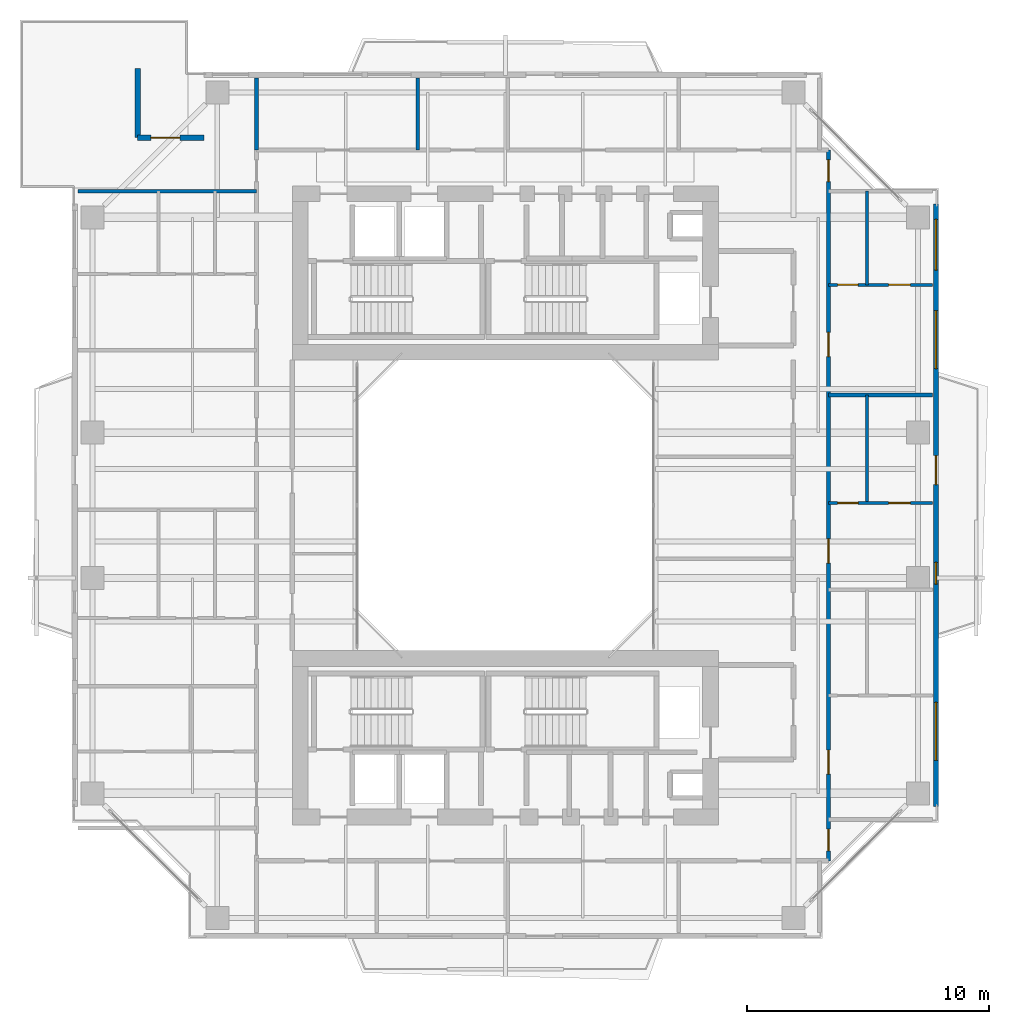
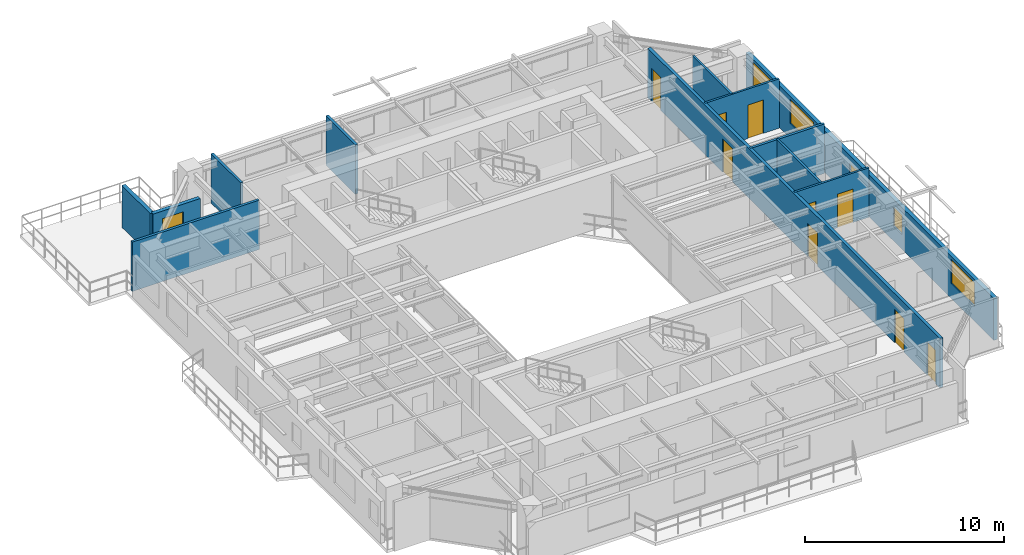
# One storey, part 13 of 18: 12 walls, 11 doors, 4 windows, 15 openings.
"""IFC4 building model written with IfcOpenShell, lengths in metres."""

from ifc_helpers import new_model, si_unit, direction, frame, frame_2d, origin, place, context, subcontext, project, spatial, rectangle, extrude, source, transform, mapped, material, layer, layer_set, type_object, element, fill, save


model = new_model("IFC4")

# Units and contexts
model_context = context("Model", 3, precision=1e-05, world=origin(), true_north=direction((0.0, 1.0)))
body_context = subcontext(model_context, "Body", "Model", "MODEL_VIEW")
ifc_project = project(units=[si_unit("LENGTHUNIT", "METRE"), si_unit("AREAUNIT", "SQUARE_METRE"), si_unit("VOLUMEUNIT", "CUBIC_METRE"), si_unit("PLANEANGLEUNIT", "RADIAN"), si_unit("MASSUNIT", "GRAM", prefix="KILO"), si_unit("THERMODYNAMICTEMPERATUREUNIT", "KELVIN"), si_unit("POWERUNIT", "WATT")], contexts=[model_context])

# Site, building, storey
site_placement = place(None, origin())
site = spatial("IfcSite", under=ifc_project, at=site_placement, CompositionType="ELEMENT")
building_placement = place(site_placement, origin())
building = spatial("IfcBuilding", under=site, at=building_placement, Name="Qiaomeng Ring Towers", CompositionType="ELEMENT")
storey_placement = place(building_placement, frame((0.0, 0.0, 182.75)))
storey = spatial("IfcBuildingStorey", under=building, at=storey_placement, Name="L53", CompositionType="ELEMENT", Elevation=182.75)

# Wall, openings, windows, door
ifc_material_1 = material(Name="Precast concrete C40", Category="concrete")
ifc_layer_1 = layer(ifc_material_1, 0.219970703125, Name="Precast concrete C40")
ifc_layer_set_1 = layer_set([ifc_layer_1], Name="Precast concrete C40")
wall_type_1 = type_object("IfcWallType", Name="ARC-WL-EW2", PredefinedType="STANDARD", material=ifc_layer_set_1)
wall_1_placement = place(storey_placement, frame((36.7900390625, 10.550048828125, 0.0), z_axis=(0.0, 0.0, 1.0), x_axis=(0.0, 1.0, 0.0)))
wall_1 = element("IfcWall", 1, at=wall_1_placement, inside=storey, type_object=wall_type_1, Name="L53 Tower 1 E Exterior Wall", PredefinedType="STANDARD", context=body_context, shape_type="SweptSolid", body=[
    extrude(rectangle(XDim=24.89990234375, YDim=0.219970703125, at=frame_2d((12.449951171875, 0.0))), origin(), (0.0, 0.0, 1.0), 2.570068359375),
])
opening_1_placement = place(wall_1_placement, frame((13.300048828125, 0.0, 0.0)))
opening_1 = element("IfcOpeningElement", 2, at=opening_1_placement, cuts=wall_1, Name="Opening BD1", PredefinedType="OPENING", context=body_context, shape_type="SweptSolid", body=[
    extrude(rectangle(XDim=1.199951171875, YDim=2.10009765625, at=frame_2d((0.60009765625, 1.050048828125))), frame((0.0, 0.119873046875, 0.0), z_axis=(0.0, -1.0, 0.0), x_axis=(1.0, 0.0, 0.0)), (0.0, 0.0, 1.0), 0.239990234375),
])
opening_2_placement = place(wall_1_placement, frame((1.912109375, 0.0, 0.89990234375)))
opening_2 = element("IfcOpeningElement", 3, at=opening_2_placement, cuts=wall_1, Name="Opening WN6", PredefinedType="OPENING", context=body_context, shape_type="SweptSolid", body=[
    extrude(rectangle(XDim=2.39990234375, YDim=1.47998046875, at=frame_2d((1.199951171875, 0.739990234375))), frame((0.0, 0.119873046875, 0.0), z_axis=(0.0, -1.0, 0.0), x_axis=(1.0, 0.0, 0.0)), (0.0, 0.0, 1.0), 0.239990234375),
])
opening_3_placement = place(wall_1_placement, frame((22.1650390625, 0.0, 0.89990234375)))
opening_3 = element("IfcOpeningElement", 4, at=opening_3_placement, cuts=wall_1, Name="Opening WN4", PredefinedType="OPENING", context=body_context, shape_type="SweptSolid", body=[
    extrude(rectangle(XDim=2.10009765625, YDim=1.5, at=frame_2d((1.050048828125, 0.75))), frame((0.0, 0.119873046875, 0.0), z_axis=(0.0, -1.0, 0.0), x_axis=(1.0, 0.0, 0.0)), (0.0, 0.0, 1.0), 0.239990234375),
])
opening_4_placement = place(wall_1_placement, frame((18.092529296875, 0.0, 0.89990234375)))
opening_4 = element("IfcOpeningElement", 5, at=opening_4_placement, cuts=wall_1, Name="Opening WN6", PredefinedType="OPENING", context=body_context, shape_type="SweptSolid", body=[
    extrude(rectangle(XDim=2.39990234375, YDim=1.5, at=frame_2d((1.199951171875, 0.75))), frame((0.0, 0.119873046875, 0.0), z_axis=(0.0, -1.0, 0.0), x_axis=(1.0, 0.0, 0.0)), (0.0, 0.0, 1.0), 0.239990234375),
])
opening_5_placement = place(wall_1_placement, frame((9.195068359375, 0.0, 0.89990234375)))
opening_5 = element("IfcOpeningElement", 6, at=opening_5_placement, cuts=wall_1, Name="Opening WN5", PredefinedType="OPENING", context=body_context, shape_type="SweptSolid", body=[
    extrude(rectangle(XDim=0.89990234375, YDim=1.199951171875, at=frame_2d((0.449951171875, 0.60009765625))), frame((0.0, 0.119873046875, 0.0), z_axis=(0.0, -1.0, 0.0), x_axis=(1.0, 0.0, 0.0)), (0.0, 0.0, 1.0), 0.239990234375),
])
ifc_material_2 = material(Name="Low-E dark-grey laminated double glazing", Category="glass")
window_type_1 = type_object("IfcWindowType", Name="ARC-WN-4", PartitioningType="TRIPLE_PANEL_VERTICAL", PredefinedType="WINDOW", material=ifc_material_2)
shared_shape_1 = source(origin(), body_context, "Body", "SweptSolid", [
    extrude(rectangle(XDim=2.10009765625, YDim=1.5, at=frame_2d((1.050048828125, 0.75))), frame((0.0, 0.030029296875, 0.0), z_axis=(0.0, -1.0, 0.0), x_axis=(1.0, 0.0, 0.0)), (0.0, 0.0, 1.0), 0.06005859375),
])
window_1_placement = place(opening_3_placement, origin())
window_1 = element("IfcWindow", 7, at=window_1_placement, inside=storey, type_object=window_type_1, Name="L53 Exterior Window WN4", OverallHeight=1.5, OverallWidth=2.10009765625, PartitioningType="TRIPLE_PANEL_VERTICAL", PredefinedType="WINDOW", context=body_context, shape_type="MappedRepresentation", body=[
    mapped(shared_shape_1, transform((0.0, 0.0, 0.0), x_axis=(1.0, 0.0, 0.0), y_axis=(0.0, 1.0, 0.0), z_axis=(0.0, 0.0, 1.0), scale=1.0)),
])
fill(opening_3, window_1)
window_type_2 = type_object("IfcWindowType", Name="ARC-WN-6", PartitioningType="TRIPLE_PANEL_VERTICAL", PredefinedType="WINDOW", material=ifc_material_2)
shared_shape_2 = source(origin(), body_context, "Body", "SweptSolid", [
    extrude(rectangle(XDim=2.39990234375, YDim=1.47998046875, at=frame_2d((1.199951171875, 0.739990234375))), frame((0.0, 0.030029296875, 0.0), z_axis=(0.0, -1.0, 0.0), x_axis=(1.0, 0.0, 0.0)), (0.0, 0.0, 1.0), 0.06005859375),
])
window_2_placement = place(opening_2_placement, origin())
window_2 = element("IfcWindow", 8, at=window_2_placement, inside=storey, type_object=window_type_2, Name="L53 Exterior Window WN6", OverallHeight=1.47998046875, OverallWidth=2.39990234375, PartitioningType="TRIPLE_PANEL_VERTICAL", PredefinedType="WINDOW", context=body_context, shape_type="MappedRepresentation", body=[
    mapped(shared_shape_2, transform((0.0, 0.0, 0.0), x_axis=(1.0, 0.0, 0.0), y_axis=(0.0, 1.0, 0.0), z_axis=(0.0, 0.0, 1.0), scale=1.0)),
])
fill(opening_2, window_2)
door_type_1 = type_object("IfcDoorType", Name="ARC-DR-BD1", OperationType="NOTDEFINED", PredefinedType="DOOR", material=ifc_material_2)
shared_shape_3 = source(origin(), body_context, "Body", "SweptSolid", [
    extrude(rectangle(XDim=1.199951171875, YDim=2.10009765625, at=frame_2d((0.60009765625, 1.050048828125))), frame((0.0, 0.02490234375, 0.0), z_axis=(0.0, -1.0, 0.0), x_axis=(1.0, 0.0, 0.0)), (0.0, 0.0, 1.0), 0.050048828125),
])
door_1_placement = place(opening_1_placement, origin())
door_1 = element("IfcDoor", 9, at=door_1_placement, inside=storey, type_object=door_type_1, Name="L53 E Balcony Glazed Door", OperationType="SINGLE_SWING_LEFT", OverallHeight=2.10009765625, OverallWidth=1.199951171875, PredefinedType="DOOR", context=body_context, shape_type="MappedRepresentation", body=[
    mapped(shared_shape_3, transform((0.0, 0.0, 0.0), x_axis=(1.0, 0.0, 0.0), y_axis=(0.0, 1.0, 0.0), z_axis=(0.0, 0.0, 1.0), scale=1.0)),
])
fill(opening_1, door_1)
shared_shape_4 = source(origin(), body_context, "Body", "SweptSolid", [
    extrude(rectangle(XDim=2.39990234375, YDim=1.5, at=frame_2d((1.199951171875, 0.75))), frame((0.0, 0.030029296875, 0.0), z_axis=(0.0, -1.0, 0.0), x_axis=(1.0, 0.0, 0.0)), (0.0, 0.0, 1.0), 0.06005859375),
])
window_3_placement = place(opening_4_placement, origin())
window_3 = element("IfcWindow", 10, at=window_3_placement, inside=storey, type_object=window_type_2, Name="L53 Exterior Window WN6", OverallHeight=1.5, OverallWidth=2.39990234375, PartitioningType="TRIPLE_PANEL_VERTICAL", PredefinedType="WINDOW", context=body_context, shape_type="MappedRepresentation", body=[
    mapped(shared_shape_4, transform((0.0, 0.0, 0.0), x_axis=(1.0, 0.0, 0.0), y_axis=(0.0, 1.0, 0.0), z_axis=(0.0, 0.0, 1.0), scale=1.0)),
])
fill(opening_4, window_3)
window_type_3 = type_object("IfcWindowType", Name="ARC-WN-5", PartitioningType="SINGLE_PANEL", PredefinedType="WINDOW", material=ifc_material_2)
shared_shape_5 = source(origin(), body_context, "Body", "SweptSolid", [
    extrude(rectangle(XDim=0.89990234375, YDim=1.199951171875, at=frame_2d((0.449951171875, 0.60009765625))), frame((0.0, 0.030029296875, 0.0), z_axis=(0.0, -1.0, 0.0), x_axis=(1.0, 0.0, 0.0)), (0.0, 0.0, 1.0), 0.06005859375),
])
window_4_placement = place(opening_5_placement, origin())
window_4 = element("IfcWindow", 11, at=window_4_placement, inside=storey, type_object=window_type_3, Name="L53 Exterior Window WN5", OverallHeight=1.199951171875, OverallWidth=0.89990234375, PartitioningType="SINGLE_PANEL", PredefinedType="WINDOW", context=body_context, shape_type="MappedRepresentation", body=[
    mapped(shared_shape_5, transform((0.0, 0.0, 0.0), x_axis=(1.0, 0.0, 0.0), y_axis=(0.0, 1.0, 0.0), z_axis=(0.0, 0.0, 1.0), scale=1.0)),
])
fill(opening_5, window_4)

# Wall, opening, door
wall_2_placement = place(storey_placement, frame((3.81005859375, 38.18994140625, 0.0), z_axis=(0.0, 0.0, 1.0), x_axis=(1.0, 0.0, 0.0)))
wall_2 = element("IfcWall", 12, at=wall_2_placement, inside=storey, type_object=wall_type_1, Name="L53 Spiral Terrace Wall NW", PredefinedType="STANDARD", context=body_context, shape_type="SweptSolid", body=[
    extrude(rectangle(XDim=2.739990234375, YDim=0.219970703125, at=frame_2d((1.3701171875, 0.0))), origin(), (0.0, 0.0, 1.0), 2.570068359375),
])
opening_6_placement = place(wall_2_placement, frame((0.550048828125, 0.0, 0.0)))
opening_6 = element("IfcOpeningElement", 13, at=opening_6_placement, cuts=wall_2, Name="Opening BD1", PredefinedType="OPENING", context=body_context, shape_type="SweptSolid", body=[
    extrude(rectangle(XDim=1.199951171875, YDim=2.10009765625, at=frame_2d((0.60009765625, 1.050048828125))), frame((0.0, 0.119873046875, 0.0), z_axis=(0.0, -1.0, 0.0), x_axis=(1.0, 0.0, 0.0)), (0.0, 0.0, 1.0), 0.239990234375),
])
door_2_placement = place(opening_6_placement, frame((1.199951171875, 0.0, 0.0), z_axis=(0.0, 0.0, 1.0), x_axis=(-1.0, 0.0, 0.0)))
door_2 = element("IfcDoor", 14, at=door_2_placement, inside=storey, type_object=door_type_1, Name="L53 Spiral Sky Terrace Door NW", OperationType="SINGLE_SWING_LEFT", OverallHeight=2.10009765625, OverallWidth=1.199951171875, PredefinedType="DOOR", context=body_context, shape_type="MappedRepresentation", body=[
    mapped(shared_shape_3, transform((0.0, 0.0, 0.0), x_axis=(1.0, 0.0, 0.0), y_axis=(0.0, 1.0, 0.0), z_axis=(0.0, 0.0, 1.0), scale=1.0)),
])
fill(opening_6, door_2)

# Wall
wall_3_placement = place(storey_placement, frame((3.81005859375, 38.18994140625, 0.0), z_axis=(0.0, 0.0, 1.0), x_axis=(0.0, 1.0, 0.0)))
element("IfcWall", 15, at=wall_3_placement, inside=storey, type_object=wall_type_1, Name="L53 Spiral Terrace Return Wall NW", PredefinedType="STANDARD", context=body_context, shape_type="SweptSolid", body=[
    extrude(rectangle(XDim=2.860107421875, YDim=0.219970703125, at=frame_2d((1.43017578125, 0.0))), origin(), (0.0, 0.0, 1.0), 2.570068359375),
])

# Wall, openings, doors
ifc_material_3 = material(Name="Autoclaved aerated concrete block", Category="concrete")
ifc_layer_2 = layer(ifc_material_3, 0.179931640625, Name="Autoclaved aerated concrete block")
ifc_layer_set_2 = layer_set([ifc_layer_2], Name="Autoclaved aerated concrete block")
wall_type_2 = type_object("IfcWallType", Name="ARC-WL-PW2", PredefinedType="PARTITIONING", material=ifc_layer_set_2)
wall_4_placement = place(storey_placement, frame((32.35009765625, 8.31005859375, 0.0), z_axis=(0.0, 0.0, 1.0), x_axis=(0.0, 1.0, 0.0)))
wall_4 = element("IfcWall", 16, at=wall_4_placement, inside=storey, type_object=wall_type_2, Name="L53 Interior Wall PW2", PredefinedType="PARTITIONING", context=body_context, shape_type="SweptSolid", body=[
    extrude(rectangle(XDim=29.369873046875, YDim=0.179931640625, at=frame_2d((14.68505859375, 0.0))), origin(), (0.0, 0.0, 1.0), 3.030029296875),
])
opening_7_placement = place(wall_4_placement, frame((28.06005859375, 0.0, 0.0)))
opening_7 = element("IfcOpeningElement", 17, at=opening_7_placement, cuts=wall_4, Name="Opening ID1", PredefinedType="OPENING", context=body_context, shape_type="SweptSolid", body=[
    extrude(rectangle(XDim=0.89990234375, YDim=2.050048828125, at=frame_2d((0.449951171875, 1.02490234375))), frame((0.0, 0.099853515625, 0.0), z_axis=(0.0, -1.0, 0.0), x_axis=(1.0, 0.0, 0.0)), (0.0, 0.0, 1.0), 0.199951171875),
])
opening_8_placement = place(wall_4_placement, frame((0.4150390625, 0.0, 0.0)))
opening_8 = element("IfcOpeningElement", 18, at=opening_8_placement, cuts=wall_4, Name="Opening ID1", PredefinedType="OPENING", context=body_context, shape_type="SweptSolid", body=[
    extrude(rectangle(XDim=0.89990234375, YDim=2.050048828125, at=frame_2d((0.449951171875, 1.02490234375))), frame((0.0, 0.099853515625, 0.0), z_axis=(0.0, -1.0, 0.0), x_axis=(1.0, 0.0, 0.0)), (0.0, 0.0, 1.0), 0.199951171875),
])
opening_9_placement = place(wall_4_placement, frame((3.580078125, 0.0, 0.0)))
opening_9 = element("IfcOpeningElement", 19, at=opening_9_placement, cuts=wall_4, Name="Opening FD4", PredefinedType="OPENING", context=body_context, shape_type="SweptSolid", body=[
    extrude(rectangle(XDim=1.0, YDim=2.050048828125, at=frame_2d((0.5, 1.02490234375))), frame((0.0, 0.099853515625, 0.0), z_axis=(0.0, -1.0, 0.0), x_axis=(1.0, 0.0, 0.0)), (0.0, 0.0, 1.0), 0.199951171875),
])
opening_10_placement = place(wall_4_placement, frame((12.304931640625, 0.0, 0.0)))
opening_10 = element("IfcOpeningElement", 20, at=opening_10_placement, cuts=wall_4, Name="Opening FD4", PredefinedType="OPENING", context=body_context, shape_type="SweptSolid", body=[
    extrude(rectangle(XDim=1.0, YDim=2.050048828125, at=frame_2d((0.5, 1.02490234375))), frame((0.0, 0.099853515625, 0.0), z_axis=(0.0, -1.0, 0.0), x_axis=(1.0, 0.0, 0.0)), (0.0, 0.0, 1.0), 0.199951171875),
])
opening_11_placement = place(wall_4_placement, frame((20.8349609375, 0.0, 0.0)))
opening_11 = element("IfcOpeningElement", 21, at=opening_11_placement, cuts=wall_4, Name="Opening FD4", PredefinedType="OPENING", context=body_context, shape_type="SweptSolid", body=[
    extrude(rectangle(XDim=1.0, YDim=2.050048828125, at=frame_2d((0.5, 1.02490234375))), frame((0.0, 0.099853515625, 0.0), z_axis=(0.0, -1.0, 0.0), x_axis=(1.0, 0.0, 0.0)), (0.0, 0.0, 1.0), 0.199951171875),
])
ifc_material_4 = material(Name="Engineered fire-rated oak timber", Category="wood")
door_type_2 = type_object("IfcDoorType", Name="ARC-DR-FD4", OperationType="NOTDEFINED", PredefinedType="DOOR", material=ifc_material_4)
shared_shape_6 = source(origin(), body_context, "Body", "SweptSolid", [
    extrude(rectangle(XDim=1.0, YDim=2.050048828125, at=frame_2d((0.5, 1.02490234375))), frame((0.0, 0.02490234375, 0.0), z_axis=(0.0, -1.0, 0.0), x_axis=(1.0, 0.0, 0.0)), (0.0, 0.0, 1.0), 0.050048828125),
])
door_3_placement = place(opening_9_placement, origin())
door_3 = element("IfcDoor", 22, at=door_3_placement, inside=storey, type_object=door_type_2, Name="L53 Door FD4", OperationType="SINGLE_SWING_LEFT", OverallHeight=2.050048828125, OverallWidth=1.0, PredefinedType="DOOR", context=body_context, shape_type="MappedRepresentation", body=[
    mapped(shared_shape_6, transform((0.0, 0.0, 0.0), x_axis=(1.0, 0.0, 0.0), y_axis=(0.0, 1.0, 0.0), z_axis=(0.0, 0.0, 1.0), scale=1.0)),
])
fill(opening_9, door_3)
door_4_placement = place(opening_10_placement, origin())
door_4 = element("IfcDoor", 23, at=door_4_placement, inside=storey, type_object=door_type_2, Name="L53 Door FD4", OperationType="SINGLE_SWING_RIGHT", OverallHeight=2.050048828125, OverallWidth=1.0, PredefinedType="DOOR", context=body_context, shape_type="MappedRepresentation", body=[
    mapped(shared_shape_6, transform((0.0, 0.0, 0.0), x_axis=(1.0, 0.0, 0.0), y_axis=(0.0, 1.0, 0.0), z_axis=(0.0, 0.0, 1.0), scale=1.0)),
])
fill(opening_10, door_4)
door_5_placement = place(opening_11_placement, origin())
door_5 = element("IfcDoor", 24, at=door_5_placement, inside=storey, type_object=door_type_2, Name="L53 Door FD4", OperationType="SINGLE_SWING_LEFT", OverallHeight=2.050048828125, OverallWidth=1.0, PredefinedType="DOOR", context=body_context, shape_type="MappedRepresentation", body=[
    mapped(shared_shape_6, transform((0.0, 0.0, 0.0), x_axis=(1.0, 0.0, 0.0), y_axis=(0.0, 1.0, 0.0), z_axis=(0.0, 0.0, 1.0), scale=1.0)),
])
fill(opening_11, door_5)
ifc_material_5 = material(Name="Engineered oak timber", Category="wood")
door_type_3 = type_object("IfcDoorType", Name="ARC-DR-ID1", OperationType="NOTDEFINED", PredefinedType="DOOR", material=ifc_material_5)
shared_shape_7 = source(origin(), body_context, "Body", "SweptSolid", [
    extrude(rectangle(XDim=0.89990234375, YDim=2.050048828125, at=frame_2d((0.449951171875, 1.02490234375))), frame((0.0, 0.02490234375, 0.0), z_axis=(0.0, -1.0, 0.0), x_axis=(1.0, 0.0, 0.0)), (0.0, 0.0, 1.0), 0.050048828125),
])
door_6_placement = place(opening_7_placement, origin())
door_6 = element("IfcDoor", 25, at=door_6_placement, inside=storey, type_object=door_type_3, Name="L53 Door ID1", OperationType="SINGLE_SWING_LEFT", OverallHeight=2.050048828125, OverallWidth=0.89990234375, PredefinedType="DOOR", context=body_context, shape_type="MappedRepresentation", body=[
    mapped(shared_shape_7, transform((0.0, 0.0, 0.0), x_axis=(1.0, 0.0, 0.0), y_axis=(0.0, 1.0, 0.0), z_axis=(0.0, 0.0, 1.0), scale=1.0)),
])
fill(opening_7, door_6)
door_7_placement = place(opening_8_placement, origin())
door_7 = element("IfcDoor", 26, at=door_7_placement, inside=storey, type_object=door_type_3, Name="L53 Door ID1", OperationType="SINGLE_SWING_RIGHT", OverallHeight=2.050048828125, OverallWidth=0.89990234375, PredefinedType="DOOR", context=body_context, shape_type="MappedRepresentation", body=[
    mapped(shared_shape_7, transform((0.0, 0.0, 0.0), x_axis=(1.0, 0.0, 0.0), y_axis=(0.0, 1.0, 0.0), z_axis=(0.0, 0.0, 1.0), scale=1.0)),
])
fill(opening_8, door_7)

# Walls
ifc_material_6 = material(Name="Gypsum fireboard steel-stud partition", Category="steel")
ifc_layer_3 = layer(ifc_material_6, 0.14990234375, Name="Gypsum fireboard steel-stud partition")
ifc_layer_set_3 = layer_set([ifc_layer_3], Name="Gypsum fireboard steel-stud partition")
wall_type_3 = type_object("IfcWallType", Name="ARC-WL-PW3", PredefinedType="PARTITIONING", material=ifc_layer_set_3)
for number, where, z_axis, x_axis, name in (
    (27, (15.3798828125, 37.679931640625, 0.0), (0.0, 0.0, 1.0), (0.0, 1.0, 0.0), "L53 Interior Wall PW3"),
    (28, (8.719970703125, 37.679931640625, 0.0), (0.0, 0.0, 1.0), (0.0, 1.0, 0.0), "L53 Interior Wall PW3"),
):
    element("IfcWall", number, at=place(storey_placement, frame(where, z_axis=z_axis, x_axis=x_axis)), inside=storey, type_object=wall_type_3, Name=name, PredefinedType="PARTITIONING", context=body_context, shape_type="SweptSolid", body=[
        extrude(rectangle(XDim=2.969970703125, YDim=0.14990234375, at=frame_2d((1.48486328125, 0.0))), origin(), (0.0, 0.0, 1.0), 3.030029296875),
    ])
wall_5_placement = place(storey_placement, frame((1.35009765625, 35.97998046875, 0.0), z_axis=(0.0, 0.0, 1.0), x_axis=(1.0, 0.0, 0.0)))
element("IfcWall", 29, at=wall_5_placement, inside=storey, type_object=wall_type_3, Name="L53 Interior Wall PW3", PredefinedType="PARTITIONING", context=body_context, shape_type="SweptSolid", body=[
    extrude(rectangle(XDim=7.369873046875, YDim=0.14990234375, at=frame_2d((3.68505859375, 0.0))), origin(), (0.0, 0.0, 1.0), 3.030029296875),
])
wall_6_placement = place(storey_placement, frame((32.35009765625, 27.56005859375, 0.0), z_axis=(0.0, 0.0, 1.0), x_axis=(1.0, 0.0, 0.0)))
element("IfcWall", 30, at=wall_6_placement, inside=storey, type_object=wall_type_3, Name="L53 Interior Wall PW3", PredefinedType="PARTITIONING", context=body_context, shape_type="SweptSolid", body=[
    extrude(rectangle(XDim=4.2998046875, YDim=0.14990234375, at=frame_2d((2.14990234375, 0.0))), origin(), (0.0, 0.0, 1.0), 3.030029296875),
])

# Wall, openings, doors
ifc_material_7 = material(Name="Moisture-resistant gypsum steel-stud partition", Category="steel")
ifc_layer_4 = layer(ifc_material_7, 0.1201171875, Name="Moisture-resistant gypsum steel-stud partition")
ifc_layer_set_4 = layer_set([ifc_layer_4], Name="Moisture-resistant gypsum steel-stud partition")
wall_type_4 = type_object("IfcWallType", Name="ARC-WL-PW4", PredefinedType="PLUMBINGWALL", material=ifc_layer_set_4)
wall_7_placement = place(storey_placement, frame((32.35009765625, 23.10009765625, 0.0), z_axis=(0.0, 0.0, 1.0), x_axis=(1.0, 0.0, 0.0)))
wall_7 = element("IfcWall", 31, at=wall_7_placement, inside=storey, type_object=wall_type_4, Name="L53 Interior Wall PW4", PredefinedType="PLUMBINGWALL", context=body_context, shape_type="SweptSolid", body=[
    extrude(rectangle(XDim=4.2998046875, YDim=0.1201171875, at=frame_2d((2.14990234375, 0.0))), origin(), (0.0, 0.0, 1.0), 3.030029296875),
])
opening_12_placement = place(wall_7_placement, frame((0.3798828125, 0.0, 0.0)))
opening_12 = element("IfcOpeningElement", 32, at=opening_12_placement, cuts=wall_7, Name="Opening ID2", PredefinedType="OPENING", context=body_context, shape_type="SweptSolid", body=[
    extrude(rectangle(XDim=0.85009765625, YDim=2.050048828125, at=frame_2d((0.425048828125, 1.02490234375))), frame((0.0, 0.070068359375, 0.0), z_axis=(0.0, -1.0, 0.0), x_axis=(1.0, 0.0, 0.0)), (0.0, 0.0, 1.0), 0.14013671875),
])
opening_13_placement = place(wall_7_placement, frame((2.485107421875, 0.0, 0.0)))
opening_13 = element("IfcOpeningElement", 33, at=opening_13_placement, cuts=wall_7, Name="Opening ID1", PredefinedType="OPENING", context=body_context, shape_type="SweptSolid", body=[
    extrude(rectangle(XDim=0.89990234375, YDim=2.050048828125, at=frame_2d((0.449951171875, 1.02490234375))), frame((0.0, 0.070068359375, 0.0), z_axis=(0.0, -1.0, 0.0), x_axis=(1.0, 0.0, 0.0)), (0.0, 0.0, 1.0), 0.14013671875),
])
ifc_material_8 = material(Name="Moisture-resistant engineered timber", Category="wood")
door_type_4 = type_object("IfcDoorType", Name="ARC-DR-ID2", OperationType="NOTDEFINED", PredefinedType="DOOR", material=ifc_material_8)
shared_shape_8 = source(origin(), body_context, "Body", "SweptSolid", [
    extrude(rectangle(XDim=0.85009765625, YDim=2.050048828125, at=frame_2d((0.425048828125, 1.02490234375))), frame((0.0, 0.02490234375, 0.0), z_axis=(0.0, -1.0, 0.0), x_axis=(1.0, 0.0, 0.0)), (0.0, 0.0, 1.0), 0.050048828125),
])
door_8_placement = place(opening_12_placement, origin())
door_8 = element("IfcDoor", 34, at=door_8_placement, inside=storey, type_object=door_type_4, Name="L53 Door ID2", OperationType="SINGLE_SWING_RIGHT", OverallHeight=2.050048828125, OverallWidth=0.85009765625, PredefinedType="DOOR", context=body_context, shape_type="MappedRepresentation", body=[
    mapped(shared_shape_8, transform((0.0, 0.0, 0.0), x_axis=(1.0, 0.0, 0.0), y_axis=(0.0, 1.0, 0.0), z_axis=(0.0, 0.0, 1.0), scale=1.0)),
])
fill(opening_12, door_8)
door_9_placement = place(opening_13_placement, origin())
door_9 = element("IfcDoor", 35, at=door_9_placement, inside=storey, type_object=door_type_3, Name="L53 Door ID1", OperationType="SINGLE_SWING_LEFT", OverallHeight=2.050048828125, OverallWidth=0.89990234375, PredefinedType="DOOR", context=body_context, shape_type="MappedRepresentation", body=[
    mapped(shared_shape_7, transform((0.0, 0.0, 0.0), x_axis=(1.0, 0.0, 0.0), y_axis=(0.0, 1.0, 0.0), z_axis=(0.0, 0.0, 1.0), scale=1.0)),
])
fill(opening_13, door_9)

# Wall
wall_8_placement = place(storey_placement, frame((33.93994140625, 23.10009765625, 0.0), z_axis=(0.0, 0.0, 1.0), x_axis=(0.0, 1.0, 0.0)))
element("IfcWall", 36, at=wall_8_placement, inside=storey, type_object=wall_type_4, Name="L53 Interior Wall PW4", PredefinedType="PLUMBINGWALL", context=body_context, shape_type="SweptSolid", body=[
    extrude(rectangle(XDim=4.4599609375, YDim=0.1201171875, at=frame_2d((2.22998046875, 0.0))), origin(), (0.0, 0.0, 1.0), 3.030029296875),
])

# Wall, openings, doors
wall_9_placement = place(storey_placement, frame((32.35009765625, 32.110107421875, 0.0), z_axis=(0.0, 0.0, 1.0), x_axis=(1.0, 0.0, 0.0)))
wall_9 = element("IfcWall", 37, at=wall_9_placement, inside=storey, type_object=wall_type_4, Name="L53 Interior Wall PW4", PredefinedType="PLUMBINGWALL", context=body_context, shape_type="SweptSolid", body=[
    extrude(rectangle(XDim=4.2998046875, YDim=0.1201171875, at=frame_2d((2.14990234375, 0.0))), origin(), (0.0, 0.0, 1.0), 3.030029296875),
])
opening_14_placement = place(wall_9_placement, frame((0.3798828125, 0.0, 0.0)))
opening_14 = element("IfcOpeningElement", 38, at=opening_14_placement, cuts=wall_9, Name="Opening ID2", PredefinedType="OPENING", context=body_context, shape_type="SweptSolid", body=[
    extrude(rectangle(XDim=0.85009765625, YDim=2.050048828125, at=frame_2d((0.425048828125, 1.02490234375))), frame((0.0, 0.070068359375, 0.0), z_axis=(0.0, -1.0, 0.0), x_axis=(1.0, 0.0, 0.0)), (0.0, 0.0, 1.0), 0.14013671875),
])
opening_15_placement = place(wall_9_placement, frame((2.485107421875, 0.0, 0.0)))
opening_15 = element("IfcOpeningElement", 39, at=opening_15_placement, cuts=wall_9, Name="Opening ID1", PredefinedType="OPENING", context=body_context, shape_type="SweptSolid", body=[
    extrude(rectangle(XDim=0.89990234375, YDim=2.050048828125, at=frame_2d((0.449951171875, 1.02490234375))), frame((0.0, 0.070068359375, 0.0), z_axis=(0.0, -1.0, 0.0), x_axis=(1.0, 0.0, 0.0)), (0.0, 0.0, 1.0), 0.14013671875),
])
door_10_placement = place(opening_14_placement, origin())
door_10 = element("IfcDoor", 40, at=door_10_placement, inside=storey, type_object=door_type_4, Name="L53 Door ID2", OperationType="SINGLE_SWING_LEFT", OverallHeight=2.050048828125, OverallWidth=0.85009765625, PredefinedType="DOOR", context=body_context, shape_type="MappedRepresentation", body=[
    mapped(shared_shape_8, transform((0.0, 0.0, 0.0), x_axis=(1.0, 0.0, 0.0), y_axis=(0.0, 1.0, 0.0), z_axis=(0.0, 0.0, 1.0), scale=1.0)),
])
fill(opening_14, door_10)
door_11_placement = place(opening_15_placement, origin())
door_11 = element("IfcDoor", 41, at=door_11_placement, inside=storey, type_object=door_type_3, Name="L53 Door ID1", OperationType="SINGLE_SWING_RIGHT", OverallHeight=2.050048828125, OverallWidth=0.89990234375, PredefinedType="DOOR", context=body_context, shape_type="MappedRepresentation", body=[
    mapped(shared_shape_7, transform((0.0, 0.0, 0.0), x_axis=(1.0, 0.0, 0.0), y_axis=(0.0, 1.0, 0.0), z_axis=(0.0, 0.0, 1.0), scale=1.0)),
])
fill(opening_15, door_11)

# Wall
wall_10_placement = place(storey_placement, frame((33.93994140625, 32.110107421875, 0.0), z_axis=(0.0, 0.0, 1.0), x_axis=(0.0, 1.0, 0.0)))
element("IfcWall", 42, at=wall_10_placement, inside=storey, type_object=wall_type_4, Name="L53 Interior Wall PW4", PredefinedType="PLUMBINGWALL", context=body_context, shape_type="SweptSolid", body=[
    extrude(rectangle(XDim=3.869873046875, YDim=0.1201171875, at=frame_2d((1.93505859375, 0.0))), origin(), (0.0, 0.0, 1.0), 3.030029296875),
])

save(model, "model.ifc")
